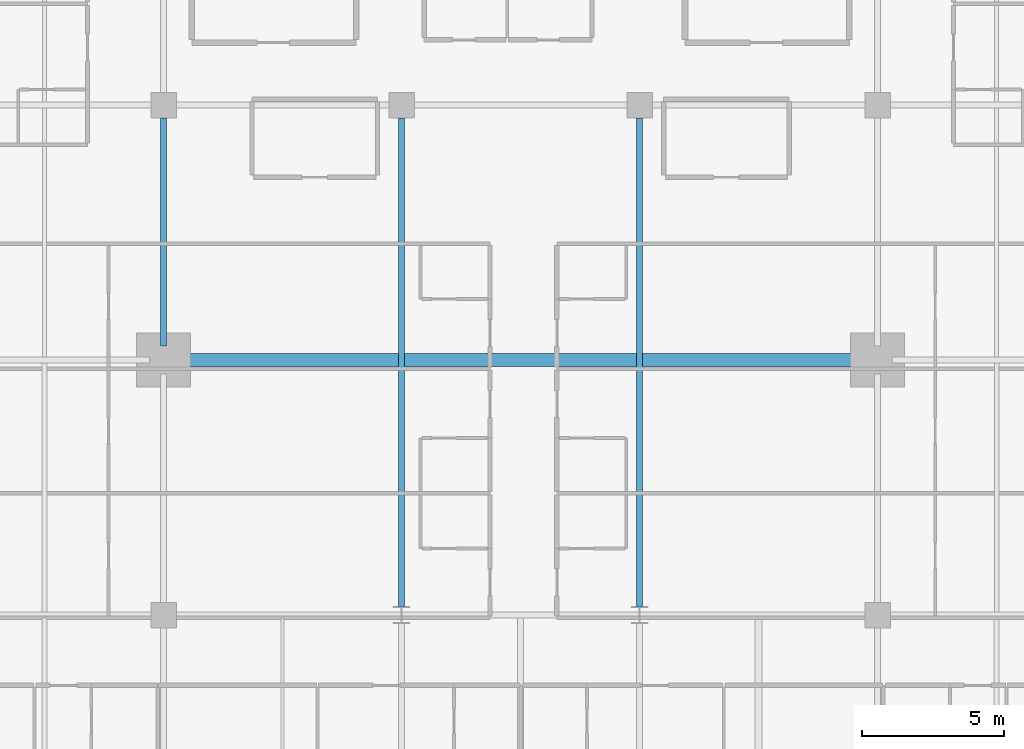
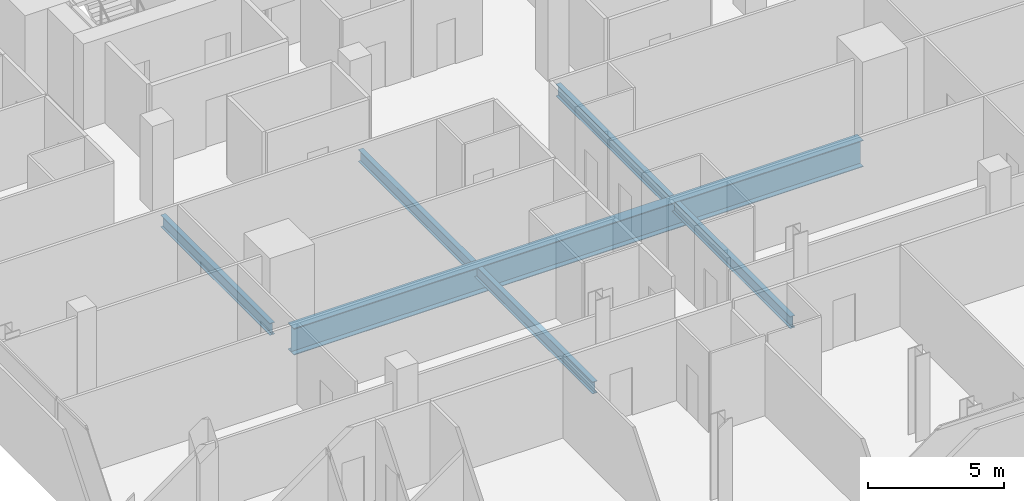
# One storey, part 11 of 34: 4 beams.
"""IFC4 building model written with IfcOpenShell, lengths in metres."""

from ifc_helpers import new_model, si_unit, direction, frame, origin, origin_2d, place, context, subcontext, project, spatial, i_section, extrude, material, material_profile, profile_set, type_object, element, save


model = new_model("IFC4")

# Units and contexts
model_context = context("Model", 3, precision=1e-05, world=origin(), true_north=direction((0.0, 1.0)))
body_context = subcontext(model_context, "Body", "Model", "MODEL_VIEW")
ifc_project = project(units=[si_unit("LENGTHUNIT", "METRE"), si_unit("AREAUNIT", "SQUARE_METRE"), si_unit("VOLUMEUNIT", "CUBIC_METRE"), si_unit("PLANEANGLEUNIT", "RADIAN"), si_unit("MASSUNIT", "GRAM", prefix="KILO")], contexts=[model_context])

# Site, building, storey
site_placement = place(None, origin())
site = spatial("IfcSite", under=ifc_project, at=site_placement, CompositionType="ELEMENT")
building_placement = place(site_placement, origin())
building = spatial("IfcBuilding", under=site, at=building_placement, Name="Maruvema Waterfront Hotel and Observation Tower", CompositionType="ELEMENT")
storey_placement = place(building_placement, frame((0.0, 0.0, 215.949951171875)))
storey = spatial("IfcBuildingStorey", under=building, at=storey_placement, Name="L53", CompositionType="ELEMENT", Elevation=215.949951171875)

# Beams
ifc_material_1 = material(Name="Steel ASTM A572 Grade 50", Category="steel")
ifc_material_profile_1 = material_profile(ifc_material_1, i_section(OverallWidth=0.2109375, OverallDepth=0.5390625, WebThickness=0.01171875, FlangeThickness=0.018798828125, FilletRadius=0.014892578125, at=origin_2d()), Name="W530x109.0")
ifc_profile_set_1 = profile_set([ifc_material_profile_1], Name="Steel ASTM A572 Grade 50")
beam_type_1 = type_object("IfcBeamType", Name="Primary Floor Girder W530x109.0", PredefinedType="BEAM", material=ifc_profile_set_1)
beam_1_placement = place(storey_placement, frame((25.199951171875, 27.5, -0.509521484375), z_axis=(0.0, 1.0, 0.0), x_axis=(-1.0, 0.0, 0.0)))
element("IfcBeam", 1, at=beam_1_placement, inside=storey, type_object=beam_type_1, Name="L53 Floor Girder NS-12", PredefinedType="BEAM", context=body_context, shape_type="SweptSolid", body=[
    extrude(i_section(OverallWidth=0.2109375, OverallDepth=0.5390625, WebThickness=0.01171875, FlangeThickness=0.018798828125, FilletRadius=0.014892578125, at=origin_2d()), origin(), (0.0, 0.0, 1.0), 8.050048828125),
])
for number, where, z_axis, x_axis, name in (
    (2, (33.60009765625, 18.300048828125, -0.509521484375), (0.0, 1.0, 0.0), (-1.0, 0.0, 0.0), "L53 Floor Girder NS-16"),
    (3, (42.0, 18.300048828125, -0.509521484375), (0.0, 1.0, 0.0), (-1.0, 0.0, 0.0), "L53 Floor Girder NS-19"),
):
    element("IfcBeam", number, at=place(storey_placement, frame(where, z_axis=z_axis, x_axis=x_axis)), inside=storey, type_object=beam_type_1, Name=name, PredefinedType="BEAM", context=body_context, shape_type="SweptSolid", body=[
        extrude(i_section(OverallWidth=0.2109375, OverallDepth=0.5390625, WebThickness=0.01171875, FlangeThickness=0.018798828125, FilletRadius=0.014892578125, at=origin_2d()), origin(), (0.0, 0.0, 1.0), 17.25),
    ])
ifc_material_2 = material(Name="Steel ABNT NBR 7007 AR 415 (ASTM A572 Grade 50)", Category="steel")
ifc_material_profile_2 = material_profile(ifc_material_2, i_section(OverallWidth=0.449951171875, OverallDepth=1.199951171875, WebThickness=0.01904296875, FlangeThickness=0.031982421875, at=origin_2d()), Name="VS1200x366")
ifc_profile_set_2 = profile_set([ifc_material_profile_2], Name="Steel ABNT NBR 7007 AR 415 (ASTM A572 Grade 50)")
beam_type_2 = type_object("IfcBeamType", Name="Upper Setback Transfer Girder VS1200x366", PredefinedType="USERDEFINED", material=ifc_profile_set_2)
beam_2_placement = place(storey_placement, frame((25.699951171875, 27.0, -0.83984375), z_axis=(1.0, 0.0, 0.0), x_axis=(0.0, 1.0, 0.0)))
element("IfcBeam", 4, at=beam_2_placement, inside=storey, type_object=beam_type_2, Name="L53 Floor Girder EW-20", ObjectType="TRANSFER GIRDER", PredefinedType="USERDEFINED", context=body_context, shape_type="SweptSolid", body=[
    extrude(i_section(OverallWidth=0.449951171875, OverallDepth=1.199951171875, WebThickness=0.01904296875, FlangeThickness=0.031982421875, at=origin_2d()), origin(), (0.0, 0.0, 1.0), 24.199951171875),
])

save(model, "model.ifc")
